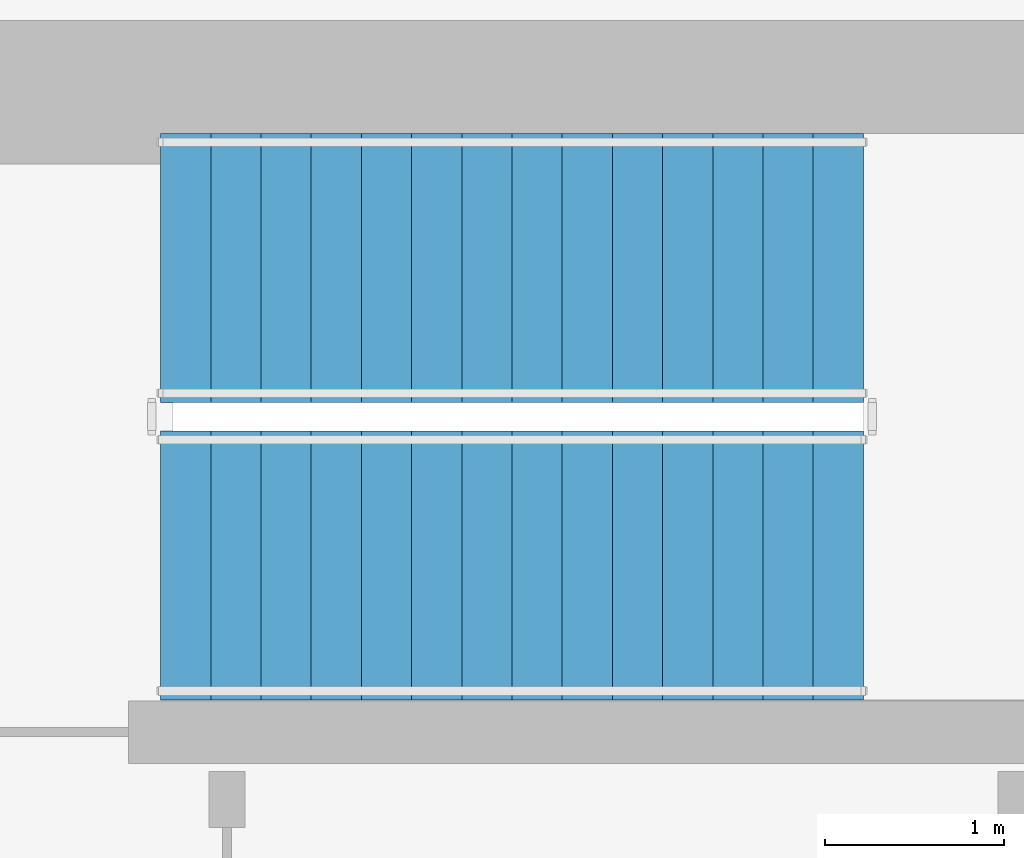
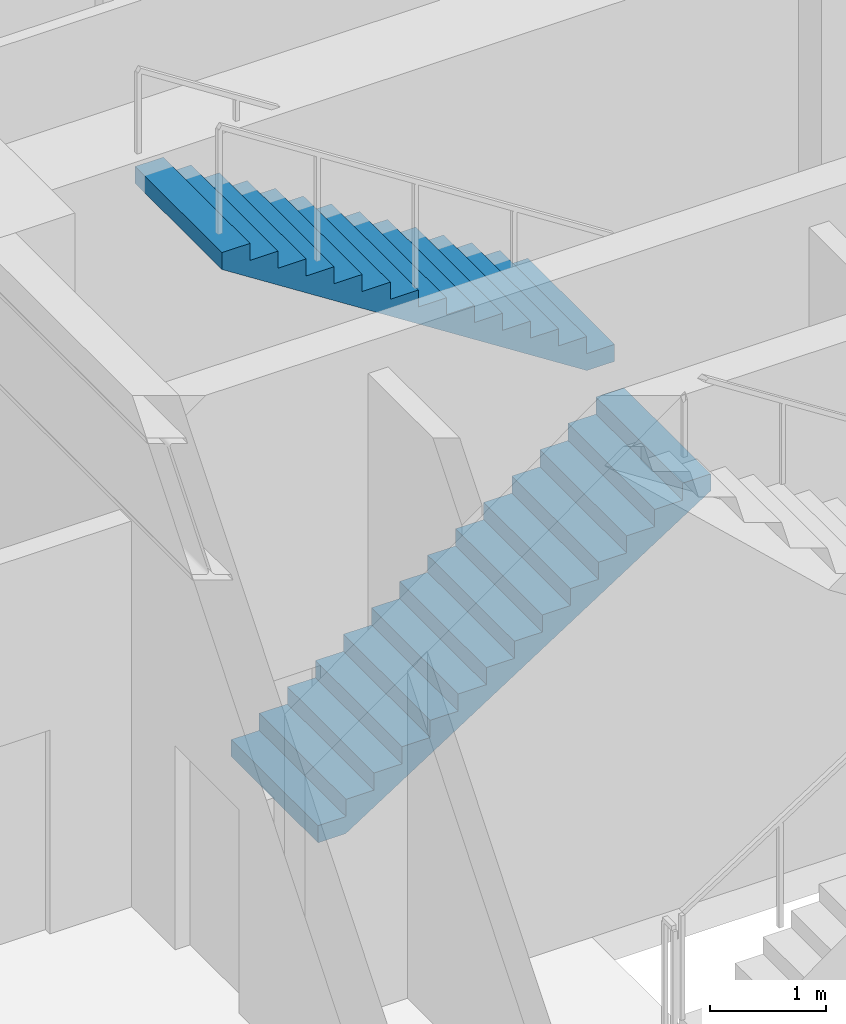
# One storey, part 16 of 21: 2 stair flights, 1 element without a shape of its own.
"""IFC4 building model written with IfcOpenShell, lengths in metres."""

import ifcopenshell
import ifcopenshell.guid

model = None  # the IFC model being written
_history = None  # IfcOwnerHistory: only IFC2X3 demands one
_inside = {}  # id of a spatial element -> (the spatial element, [elements in it])
_under = {}  # id of a project, library or spatial element -> (it, [spatial elements below it])
_declared = {}  # id of a project -> (the project, [libraries it declares])
_typed = {}  # id of a type object -> (the type object, [elements of that type])
_made_of = {}  # id of a material, layer set ... -> (it, [elements and type objects made of it])


def new_model(schema):
    """Start an empty IFC model of exactly this schema.

    Asked for "IFC4X3", IfcOpenShell would pick the latest addendum, in which some entities
    have other attributes; the version numbers below select the first issue.
    IFC2X3 requires an IfcOwnerHistory on every rooted entity: one is made here for all.
    """
    global model, _history
    if schema == "IFC4X3":
        model = ifcopenshell.file(schema_version=(4, 3, 0, 0))
    else:
        model = ifcopenshell.file(schema=schema)
    _inside.clear()
    _under.clear()
    _declared.clear()
    _typed.clear()
    _made_of.clear()
    _history = None
    if model.schema == "IFC2X3":
        org = make("IfcOrganization", Name="unknown")
        user = make(
            "IfcPersonAndOrganization",
            ThePerson=make("IfcPerson", FamilyName="unknown"),
            TheOrganization=org,
        )
        app = make(
            "IfcApplication",
            ApplicationDeveloper=org,
            Version="unknown",
            ApplicationFullName="unknown",
            ApplicationIdentifier="unknown",
        )
        _history = make(
            "IfcOwnerHistory",
            OwningUser=user,
            OwningApplication=app,
            ChangeAction="ADDED",
            CreationDate=0,
        )
    return model


def make(cls, **values):
    """One entity of the class cls with the attributes given. An attribute that is None is left unset."""
    return model.create_entity(
        cls, **{name: value for name, value in values.items() if value is not None}
    )


def rooted(cls, **values):
    """An entity with a GlobalId (a new one), such as an element, a storey or a relation."""
    return make(cls, GlobalId=ifcopenshell.guid.new(), OwnerHistory=_history, **values)


def si_unit(unit_type, name, prefix=None):
    """IfcSIUnit, for example si_unit("LENGTHUNIT", "METRE", prefix="MILLI")."""
    return make("IfcSIUnit", UnitType=unit_type, Prefix=prefix, Name=name)


def assignment(units):
    """IfcUnitAssignment: the units of a project."""
    return None if units is None else make("IfcUnitAssignment", Units=units)


def point(xyz):
    """IfcCartesianPoint."""
    return None if xyz is None else make("IfcCartesianPoint", Coordinates=xyz)


def direction(xyz):
    """IfcDirection."""
    return None if xyz is None else make("IfcDirection", DirectionRatios=xyz)


def frame(location, z_axis=None, x_axis=None):
    """IfcAxis2Placement3D, a coordinate frame: its origin and axes. An axis left out is left unset."""
    return make(
        "IfcAxis2Placement3D",
        Location=point(location),
        Axis=direction(z_axis),
        RefDirection=direction(x_axis),
    )


def origin():
    """The frame at (0, 0, 0) with its axes left unset."""
    return frame((0.0, 0.0, 0.0))


def place(relative_to, where):
    """IfcLocalPlacement: puts the frame where relative to a parent placement (None: the world)."""
    return make(
        "IfcLocalPlacement", PlacementRelTo=relative_to, RelativePlacement=where
    )


def context(
    kind, dimensions, precision=None, world=None, true_north=None, identifier=None
):
    """IfcGeometricRepresentationContext, for example the 3D "Model" context."""
    return make(
        "IfcGeometricRepresentationContext",
        ContextIdentifier=identifier,
        ContextType=kind,
        CoordinateSpaceDimension=dimensions,
        Precision=precision,
        WorldCoordinateSystem=world,
        TrueNorth=true_north,
    )


def subcontext(parent, identifier, kind, view, scale=None):
    """IfcGeometricRepresentationSubContext, for example "Body" below "Model"."""
    return make(
        "IfcGeometricRepresentationSubContext",
        ContextIdentifier=identifier,
        ContextType=kind,
        ParentContext=parent,
        TargetScale=scale,
        TargetView=view,
    )


def project(units=None, contexts=None):
    """IfcProject with its units and contexts."""
    return rooted(
        "IfcProject",
        Name="project",
        RepresentationContexts=contexts,
        UnitsInContext=assignment(units),
    )


def spatial(cls, under=None, at=None, **own):
    """A site, building, storey or space (cls), placed at a placement, below another one or the project."""
    s = rooted(cls, ObjectPlacement=at, **own)
    if under is not None:
        _under.setdefault(under.id(), (under, []))[1].append(s)
    return s


def polyline(points):
    """IfcPolyline through the points."""
    return make("IfcPolyline", Points=[point(p) for p in points])


def outline(outer, holes=None, kind="AREA"):
    """IfcArbitraryClosedProfileDef: a profile drawn as a closed curve; with holes, ...WithVoids."""
    if holes is None:
        return make("IfcArbitraryClosedProfileDef", ProfileType=kind, OuterCurve=outer)
    return make(
        "IfcArbitraryProfileDefWithVoids",
        ProfileType=kind,
        OuterCurve=outer,
        InnerCurves=holes,
    )


def extrude(swept, where, along, depth):
    """IfcExtrudedAreaSolid: the profile swept, set in the frame where, extruded along a direction by depth."""
    return make(
        "IfcExtrudedAreaSolid",
        SweptArea=swept,
        Position=where,
        ExtrudedDirection=direction(along),
        Depth=depth,
    )


def shape(context_of_items, identifier, shape_type, items):
    """IfcShapeRepresentation: the items that make up one representation, for example the "Body"."""
    return make(
        "IfcShapeRepresentation",
        ContextOfItems=context_of_items,
        RepresentationIdentifier=identifier,
        RepresentationType=shape_type,
        Items=items,
    )


def material(Name=None, Category=None):
    """IfcMaterial."""
    return make("IfcMaterial", Name=Name, Category=Category)


def layer(
    of_material, thickness, ventilated=None, Name=None, Category=None, Priority=None
):
    """IfcMaterialLayer: one layer of a wall or slab, of a material (None: an air gap)."""
    return make(
        "IfcMaterialLayer",
        Material=of_material,
        LayerThickness=thickness,
        IsVentilated=ventilated,
        Name=Name,
        Category=Category,
        Priority=Priority,
    )


def layer_set(layers, Name=None):
    """IfcMaterialLayerSet."""
    return make("IfcMaterialLayerSet", MaterialLayers=layers, LayerSetName=Name)


def made_of(thing, what):
    """Note that an element or type object is made of a material, layer set ...; save() writes the relation."""
    if what is not None:
        _made_of.setdefault(what.id(), (what, []))[1].append(thing)
    return thing


def type_object(cls, material=None, **own):
    """A type object (cls), such as IfcWallType, which elements share."""
    return made_of(rooted(cls, **own), material)


def element(
    cls,
    number,
    at=None,
    inside=None,
    cuts=None,
    type_object=None,
    material=None,
    context=None,
    identifier="Body",
    shape_type=None,
    held_by="IfcProductDefinitionShape",
    body=None,
    shapes=None,
    **own,
):
    """One element of the class cls, such as IfcWall. Its Tag is "e" and its number.

    at: its placement. inside: the storey or other place that contains it. cuts: it is an
    opening in that element (IfcRelVoidsElement). A single representation is given by context,
    identifier, shape_type and body (its items); several are given by shapes. held_by: the class
    of the entity that holds the representations. save() writes the other relations.
    """
    e = rooted(cls, Tag="e%d" % number, ObjectPlacement=at, **own)
    if body is not None:
        shapes = [shape(context, identifier, shape_type, body)]
    if shapes is not None:
        e.Representation = make(held_by, Representations=shapes)
    if inside is not None:
        _inside.setdefault(inside.id(), (inside, []))[1].append(e)
    if cuts is not None:
        rooted(
            "IfcRelVoidsElement", RelatingBuildingElement=cuts, RelatedOpeningElement=e
        )
    if type_object is not None:
        _typed.setdefault(type_object.id(), (type_object, []))[1].append(e)
    return made_of(e, material)


def aggregate(whole, parts):
    """IfcRelAggregates: a whole, such as a stair, and the parts it consists of."""
    return rooted("IfcRelAggregates", RelatingObject=whole, RelatedObjects=parts)


def save(model, path):
    """Write the relations noted so far, then the file.

    IfcRelAggregates (storeys below a building ...), IfcRelContainedInSpatialStructure (elements
    in a storey), IfcRelDefinesByType, IfcRelAssociatesMaterial and IfcRelDeclares: one each for
    every whole, place, type object, material and project.
    """
    for whole, parts in _under.values():
        aggregate(whole, parts)
    for where, things in _inside.values():
        rooted(
            "IfcRelContainedInSpatialStructure",
            RelatedElements=things,
            RelatingStructure=where,
        )
    for kind, things in _typed.values():
        rooted("IfcRelDefinesByType", RelatedObjects=things, RelatingType=kind)
    for what, things in _made_of.values():
        rooted("IfcRelAssociatesMaterial", RelatedObjects=things, RelatingMaterial=what)
    for by, libraries in _declared.values():
        rooted("IfcRelDeclares", RelatingContext=by, RelatedDefinitions=libraries)
    model.write(path)


model = new_model("IFC4")

# Units and contexts
model_context = context("Model", 3, precision=1e-05, world=origin(), true_north=direction((0.0, 1.0)))
body_context = subcontext(model_context, "Body", "Model", "MODEL_VIEW")
ifc_project = project(units=[si_unit("LENGTHUNIT", "METRE"), si_unit("AREAUNIT", "SQUARE_METRE"), si_unit("VOLUMEUNIT", "CUBIC_METRE"), si_unit("PLANEANGLEUNIT", "RADIAN"), si_unit("MASSUNIT", "GRAM", prefix="KILO")], contexts=[model_context])

# Site, building, storey
site_placement = place(None, origin())
site = spatial("IfcSite", under=ifc_project, at=site_placement, CompositionType="ELEMENT")
building_placement = place(site_placement, origin())
building = spatial("IfcBuilding", under=site, at=building_placement, Name="Zarnavel Station Tower", CompositionType="ELEMENT")
storey_placement = place(building_placement, origin())
storey = spatial("IfcBuildingStorey", under=building, at=storey_placement, Name="L01", CompositionType="ELEMENT", Elevation=0.0)

# Stair, stair flights
ifc_material_1 = material(Name="Concrete C45/55", Category="concrete")
stair_type = type_object("IfcStairType", Name="ST_CORE_150", PredefinedType="HALF_TURN_STAIR", material=ifc_material_1)
stair_placement = place(storey_placement, origin())
stair = element("IfcStair", 1, at=stair_placement, inside=storey, type_object=stair_type, Name="L01 Core Exit Stair ST2", PredefinedType="HALF_TURN_STAIR")
ifc_material_2 = material(Name="Concrete C45/55", Category="concrete")
ifc_layer = layer(ifc_material_2, 0.179931640625)
ifc_layer_set = layer_set([ifc_layer], Name="ST_CORE_150_FLT")
stair_flight_type = type_object("IfcStairFlightType", Name="ST_CORE_150_FLT", PredefinedType="STRAIGHT", material=ifc_layer_set)
stair_flight_1_placement = place(storey_placement, frame((38.080078125, 34.409912109375, 0.0), z_axis=(0.0, 0.0, 1.0), x_axis=(1.0, 0.0, 0.0)))
stair_flight_1 = element("IfcStairFlight", 2, at=stair_flight_1_placement, type_object=stair_flight_type, Name="ST2 flight 1", NumberOfRisers=15, NumberOfTreads=14, PredefinedType="STRAIGHT", RiserHeight=0.18, TreadLength=0.28, context=body_context, shape_type="SweptSolid", body=[
    extrude(outline(polyline([(0.0, 0.0), (0.0, 0.179931640625), (0.280029296875, 0.179931640625), (0.280029296875, 0.360107421875), (0.56005859375, 0.360107421875), (0.56005859375, 0.5400390625), (0.840087890625, 0.5400390625), (0.840087890625, 0.719970703125), (1.1201171875, 0.719970703125), (1.1201171875, 0.89990234375), (1.39990234375, 0.89990234375), (1.39990234375, 1.080078125), (1.679931640625, 1.080078125), (1.679931640625, 1.260009765625), (1.9599609375, 1.260009765625), (1.9599609375, 1.43994140625), (2.239990234375, 1.43994140625), (2.239990234375, 1.6201171875), (2.52001953125, 1.6201171875), (2.52001953125, 1.800048828125), (2.800048828125, 1.800048828125), (2.800048828125, 1.97998046875), (3.080078125, 1.97998046875), (3.080078125, 2.159912109375), (3.360107421875, 2.159912109375), (3.360107421875, 2.340087890625), (3.639892578125, 2.340087890625), (3.639892578125, 2.52001953125), (3.919921875, 2.52001953125), (3.919921875, 2.699951171875), (3.919921875, 2.341796875), (0.277099609375, 0.0), (0.0, 0.0)])), frame((0.0, 0.75, 0.0), z_axis=(0.0, -1.0, 0.0), x_axis=(1.0, 0.0, 0.0)), (0.0, 0.0, 1.0), 1.5),
])
stair_flight_2_placement = place(storey_placement, frame((42.0, 36.070068359375, 2.699951171875), z_axis=(0.0, 0.0, 1.0), x_axis=(-1.0, 0.0, 0.0)))
stair_flight_2 = element("IfcStairFlight", 3, at=stair_flight_2_placement, type_object=stair_flight_type, Name="ST2 flight 2", NumberOfRisers=15, NumberOfTreads=14, PredefinedType="STRAIGHT", RiserHeight=0.18, TreadLength=0.28, context=body_context, shape_type="SweptSolid", body=[
    extrude(outline(polyline([(0.0, 0.0), (0.0, 0.179931640625), (0.280029296875, 0.179931640625), (0.280029296875, 0.360107421875), (0.56005859375, 0.360107421875), (0.56005859375, 0.5400390625), (0.840087890625, 0.5400390625), (0.840087890625, 0.719970703125), (1.1201171875, 0.719970703125), (1.1201171875, 0.89990234375), (1.39990234375, 0.89990234375), (1.39990234375, 1.080078125), (1.679931640625, 1.080078125), (1.679931640625, 1.260009765625), (1.9599609375, 1.260009765625), (1.9599609375, 1.43994140625), (2.239990234375, 1.43994140625), (2.239990234375, 1.6201171875), (2.52001953125, 1.6201171875), (2.52001953125, 1.800048828125), (2.800048828125, 1.800048828125), (2.800048828125, 1.97998046875), (3.080078125, 1.97998046875), (3.080078125, 2.159912109375), (3.360107421875, 2.159912109375), (3.360107421875, 2.340087890625), (3.639892578125, 2.340087890625), (3.639892578125, 2.52001953125), (3.919921875, 2.52001953125), (3.919921875, 2.699951171875), (3.919921875, 2.341796875), (0.277099609375, 0.0), (0.0, 0.0)])), frame((0.0, 0.75, 0.0), z_axis=(0.0, -1.0, 0.0), x_axis=(1.0, 0.0, 0.0)), (0.0, 0.0, 1.0), 1.5),
])
aggregate(stair, [stair_flight_1, stair_flight_2])

save(model, "model.ifc")
